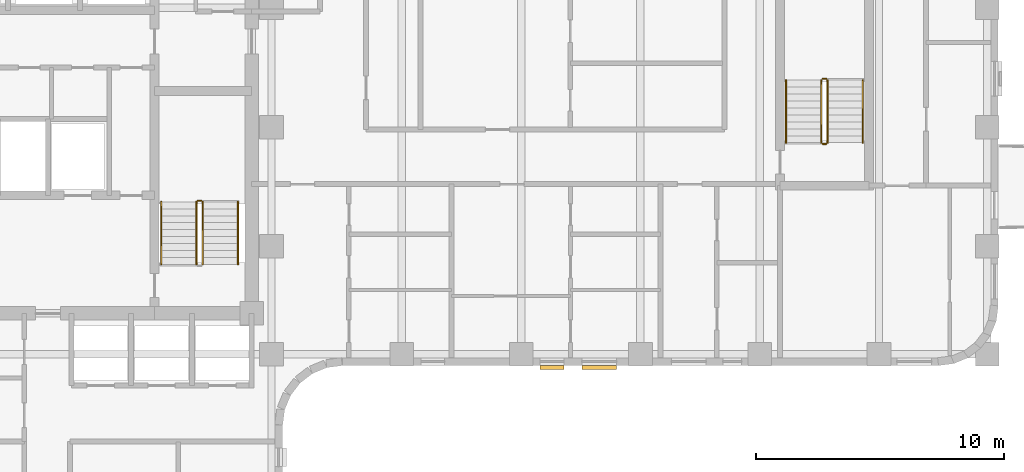
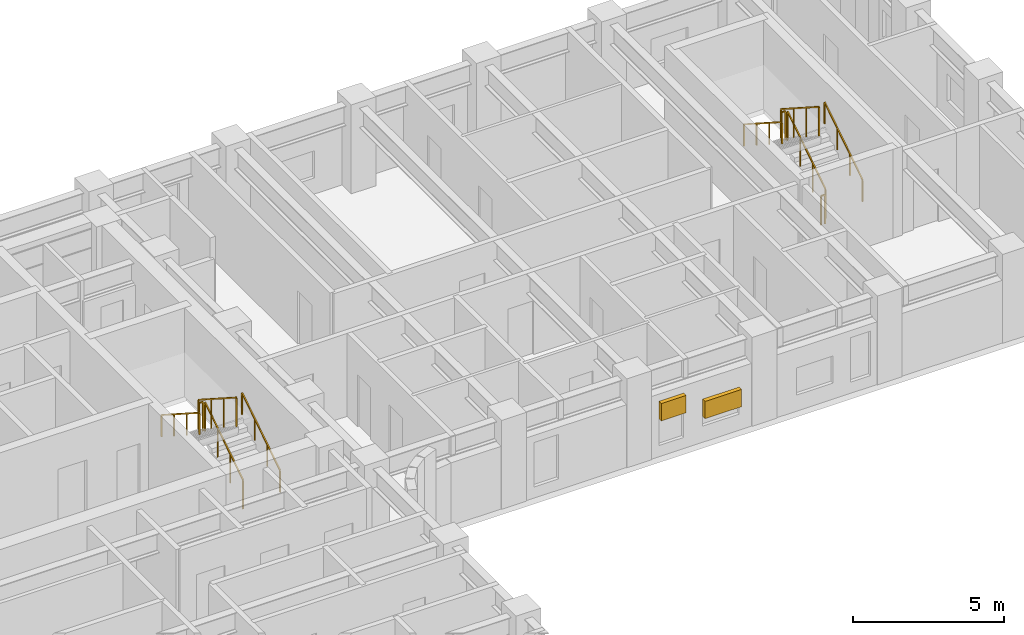
# One storey, part 9 of 10: 11 railings, 2 shading devices.
"""IFC4 building model written with IfcOpenShell, lengths in metres."""

from ifc_helpers import new_model, si_unit, direction, frame, origin, origin_2d, place, context, subcontext, project, spatial, rectangle, extrude, material, type_object, element, save


model = new_model("IFC4")

# Units and contexts
model_context = context("Model", 3, precision=1e-05, world=origin(), true_north=direction((0.0, 1.0)))
body_context = subcontext(model_context, "Body", "Model", "MODEL_VIEW")
ifc_project = project(units=[si_unit("LENGTHUNIT", "METRE"), si_unit("AREAUNIT", "SQUARE_METRE"), si_unit("VOLUMEUNIT", "CUBIC_METRE"), si_unit("PLANEANGLEUNIT", "RADIAN"), si_unit("MASSUNIT", "GRAM", prefix="KILO")], contexts=[model_context])

# Site, building, storey
site_placement = place(None, origin())
site = spatial("IfcSite", under=ifc_project, at=site_placement, CompositionType="ELEMENT")
building_placement = place(site_placement, origin())
building = spatial("IfcBuilding", under=site, at=building_placement, Name="Orvandelia Arch Residences", CompositionType="ELEMENT")
storey_placement = place(building_placement, frame((0.0, 0.0, 118.0)))
storey = spatial("IfcBuildingStorey", under=building, at=storey_placement, Name="L30", CompositionType="ELEMENT", Elevation=118.0)

# Railings
ifc_material_1 = material(Name="Brushed Stainless Steel 304", Category="steel")
railing_type_1 = type_object("IfcRailingType", Name="RL-STAIR-GD1120", PredefinedType="GUARDRAIL", material=ifc_material_1)
railing_1_placement = place(storey_placement, frame((20.780029296875, 32.8701171875, 0.179931640625)))
element("IfcRailing", 1, at=railing_1_placement, inside=storey, type_object=railing_type_1, Name="L30 ST-2 stair guard 1", PredefinedType="GUARDRAIL", context=body_context, shape_type="SweptSolid", body=[
    extrude(rectangle(XDim=0.048095703125, YDim=0.048095703125, at=origin_2d()), frame((0.0, 0.0, 1.17578125), z_axis=(0.0, 0.841138753965, 0.540819375188), x_axis=(-1.0, 0.0, 0.0)), (0.0, 0.0, 1.0), 2.99560546875),
    extrude(rectangle(XDim=0.0419921875, YDim=0.0419921875, at=origin_2d()), origin(), (0.0, 0.0, 1.0), 1.15185546875),
    extrude(rectangle(XDim=0.0419921875, YDim=0.0419921875, at=origin_2d()), frame((0.0, 0.83984375, 0.5400390625)), (0.0, 0.0, 1.0), 1.15185546875),
    extrude(rectangle(XDim=0.0419921875, YDim=0.0419921875, at=origin_2d()), frame((0.0, 1.679931640625, 1.080078125)), (0.0, 0.0, 1.0), 1.15185546875),
    extrude(rectangle(XDim=0.0419921875, YDim=0.0419921875, at=origin_2d()), frame((0.0, 2.519775390625, 1.6201171875)), (0.0, 0.0, 1.0), 1.15185546875),
])
railing_2_placement = place(storey_placement, frame((20.72998046875, 35.43994140625, 1.800048828125)))
element("IfcRailing", 2, at=railing_2_placement, inside=storey, type_object=railing_type_1, Name="L30 ST-2 stair guard 2", PredefinedType="GUARDRAIL", context=body_context, shape_type="SweptSolid", body=[
    extrude(rectangle(XDim=0.048095703125, YDim=0.048095703125, at=origin_2d()), frame((0.0, 0.0, 1.17578125), z_axis=(-1.0, 0.0, 0.0), x_axis=(0.0, -1.0, 0.0)), (0.0, 0.0, 1.0), 0.14990234375),
    extrude(rectangle(XDim=0.0419921875, YDim=0.0419921875, at=origin_2d()), origin(), (0.0, 0.0, 1.0), 1.15185546875),
    extrude(rectangle(XDim=0.0419921875, YDim=0.0419921875, at=origin_2d()), frame((-0.14990234375, 0.0, 0.0)), (0.0, 0.0, 1.0), 1.15185546875),
])
railing_3_placement = place(storey_placement, frame((20.530029296875, 35.389892578125, 1.97998046875)))
element("IfcRailing", 3, at=railing_3_placement, inside=storey, type_object=railing_type_1, Name="L30 ST-2 stair guard 3", PredefinedType="GUARDRAIL", context=body_context, shape_type="SweptSolid", body=[
    extrude(rectangle(XDim=0.048095703125, YDim=0.048095703125, at=origin_2d()), frame((0.0, 0.0, 1.17578125), z_axis=(0.0, -0.841138753965, 0.540819375188), x_axis=(1.0, 0.0, 0.0)), (0.0, 0.0, 1.0), 2.99560546875),
    extrude(rectangle(XDim=0.0419921875, YDim=0.0419921875, at=origin_2d()), origin(), (0.0, 0.0, 1.0), 1.15185546875),
    extrude(rectangle(XDim=0.0419921875, YDim=0.0419921875, at=origin_2d()), frame((0.0, -0.83984375, 0.5400390625)), (0.0, 0.0, 1.0), 1.15185546875),
    extrude(rectangle(XDim=0.0419921875, YDim=0.0419921875, at=origin_2d()), frame((0.0, -1.679931640625, 1.080078125)), (0.0, 0.0, 1.0), 1.15185546875),
    extrude(rectangle(XDim=0.0419921875, YDim=0.0419921875, at=origin_2d()), frame((0.0, -2.519775390625, 1.6201171875)), (0.0, 0.0, 1.0), 1.15185546875),
])
railing_4_placement = place(storey_placement, frame((45.929931640625, 37.77001953125, 0.179931640625)))
element("IfcRailing", 4, at=railing_4_placement, inside=storey, type_object=railing_type_1, Name="L30 ST-3 stair guard 1", PredefinedType="GUARDRAIL", context=body_context, shape_type="SweptSolid", body=[
    extrude(rectangle(XDim=0.048095703125, YDim=0.048095703125, at=origin_2d()), frame((0.0, 0.0, 1.17578125), z_axis=(0.0, 0.841162588446, 0.540782303519), x_axis=(-1.0, 0.0, 0.0)), (0.0, 0.0, 1.0), 2.995849609375),
    extrude(rectangle(XDim=0.0419921875, YDim=0.0419921875, at=origin_2d()), origin(), (0.0, 0.0, 1.0), 1.15185546875),
    extrude(rectangle(XDim=0.0419921875, YDim=0.0419921875, at=origin_2d()), frame((0.0, 0.840087890625, 0.5400390625)), (0.0, 0.0, 1.0), 1.15185546875),
    extrude(rectangle(XDim=0.0419921875, YDim=0.0419921875, at=origin_2d()), frame((0.0, 1.679931640625, 1.080078125)), (0.0, 0.0, 1.0), 1.15185546875),
    extrude(rectangle(XDim=0.0419921875, YDim=0.0419921875, at=origin_2d()), frame((0.0, 2.52001953125, 1.6201171875)), (0.0, 0.0, 1.0), 1.15185546875),
])
railing_5_placement = place(storey_placement, frame((45.8798828125, 40.340087890625, 1.800048828125)))
element("IfcRailing", 5, at=railing_5_placement, inside=storey, type_object=railing_type_1, Name="L30 ST-3 stair guard 2", PredefinedType="GUARDRAIL", context=body_context, shape_type="SweptSolid", body=[
    extrude(rectangle(XDim=0.048095703125, YDim=0.048095703125, at=origin_2d()), frame((0.0, 0.0, 1.17578125), z_axis=(-1.0, 0.0, 0.0), x_axis=(0.0, -1.0, 0.0)), (0.0, 0.0, 1.0), 0.14990234375),
    extrude(rectangle(XDim=0.0419921875, YDim=0.0419921875, at=origin_2d()), origin(), (0.0, 0.0, 1.0), 1.15185546875),
    extrude(rectangle(XDim=0.0419921875, YDim=0.0419921875, at=origin_2d()), frame((-0.14990234375, 0.0, 0.0)), (0.0, 0.0, 1.0), 1.15185546875),
])
railing_6_placement = place(storey_placement, frame((45.679931640625, 40.2900390625, 1.97998046875)))
element("IfcRailing", 6, at=railing_6_placement, inside=storey, type_object=railing_type_1, Name="L30 ST-3 stair guard 3", PredefinedType="GUARDRAIL", context=body_context, shape_type="SweptSolid", body=[
    extrude(rectangle(XDim=0.048095703125, YDim=0.048095703125, at=origin_2d()), frame((0.0, 0.0, 1.17578125), z_axis=(0.0, -0.841162588446, 0.540782303519), x_axis=(1.0, 0.0, 0.0)), (0.0, 0.0, 1.0), 2.995849609375),
    extrude(rectangle(XDim=0.0419921875, YDim=0.0419921875, at=origin_2d()), origin(), (0.0, 0.0, 1.0), 1.15185546875),
    extrude(rectangle(XDim=0.0419921875, YDim=0.0419921875, at=origin_2d()), frame((0.0, -0.840087890625, 0.5400390625)), (0.0, 0.0, 1.0), 1.15185546875),
    extrude(rectangle(XDim=0.0419921875, YDim=0.0419921875, at=origin_2d()), frame((0.0, -1.679931640625, 1.080078125)), (0.0, 0.0, 1.0), 1.15185546875),
    extrude(rectangle(XDim=0.0419921875, YDim=0.0419921875, at=origin_2d()), frame((0.0, -2.52001953125, 1.6201171875)), (0.0, 0.0, 1.0), 1.15185546875),
])
railing_7_placement = place(storey_placement, frame((45.8798828125, 37.719970703125, 0.0)))
element("IfcRailing", 7, at=railing_7_placement, inside=storey, type_object=railing_type_1, Name="L30 ST-3 stair guard 4", PredefinedType="GUARDRAIL", context=body_context, shape_type="SweptSolid", body=[
    extrude(rectangle(XDim=0.048095703125, YDim=0.048095703125, at=origin_2d()), frame((0.0, 0.0, 1.17578125), z_axis=(-1.0, 0.0, 0.0), x_axis=(0.0, -1.0, 0.0)), (0.0, 0.0, 1.0), 0.14990234375),
    extrude(rectangle(XDim=0.0419921875, YDim=0.0419921875, at=origin_2d()), origin(), (0.0, 0.0, 1.0), 1.15185546875),
    extrude(rectangle(XDim=0.0419921875, YDim=0.0419921875, at=origin_2d()), frame((-0.14990234375, 0.0, 0.0)), (0.0, 0.0, 1.0), 1.15185546875),
])
railing_type_2 = type_object("IfcRailingType", Name="RL-STAIR-HR920", PredefinedType="HANDRAIL", material=ifc_material_1)
railing_8_placement = place(storey_placement, frame((22.199951171875, 32.8701171875, 0.360107421875)))
element("IfcRailing", 8, at=railing_8_placement, inside=storey, type_object=railing_type_2, Name="L30 ST-2 stair handrail 1", PredefinedType="HANDRAIL", context=body_context, shape_type="SweptSolid", body=[
    extrude(rectangle(XDim=0.048095703125, YDim=0.048095703125, at=origin_2d()), frame((0.0, 0.0, 0.8759765625), z_axis=(0.0, 0.841175827307, 0.540761710511), x_axis=(-1.0, 0.0, 0.0)), (0.0, 0.0, 1.0), 2.99560546875),
    extrude(rectangle(XDim=0.0419921875, YDim=0.0419921875, at=origin_2d()), origin(), (0.0, 0.0, 1.0), 0.851806640625),
    extrude(rectangle(XDim=0.0419921875, YDim=0.0419921875, at=origin_2d()), frame((0.0, 0.83984375, 0.5400390625)), (0.0, 0.0, 1.0), 0.851806640625),
    extrude(rectangle(XDim=0.0419921875, YDim=0.0419921875, at=origin_2d()), frame((0.0, 1.679931640625, 1.079833984375)), (0.0, 0.0, 1.0), 0.851806640625),
    extrude(rectangle(XDim=0.0419921875, YDim=0.0419921875, at=origin_2d()), frame((0.0, 2.519775390625, 1.619873046875)), (0.0, 0.0, 1.0), 0.851806640625),
])
railing_9_placement = place(storey_placement, frame((19.110107421875, 35.389892578125, 2.159912109375)))
element("IfcRailing", 9, at=railing_9_placement, inside=storey, type_object=railing_type_2, Name="L30 ST-2 stair handrail 2", PredefinedType="HANDRAIL", context=body_context, shape_type="SweptSolid", body=[
    extrude(rectangle(XDim=0.048095703125, YDim=0.048095703125, at=origin_2d()), frame((0.0, 0.0, 0.8759765625), z_axis=(0.0, -0.841138753965, 0.540819375188), x_axis=(1.0, 0.0, 0.0)), (0.0, 0.0, 1.0), 2.99560546875),
    extrude(rectangle(XDim=0.0419921875, YDim=0.0419921875, at=origin_2d()), origin(), (0.0, 0.0, 1.0), 0.851806640625),
    extrude(rectangle(XDim=0.0419921875, YDim=0.0419921875, at=origin_2d()), frame((0.0, -0.83984375, 0.5400390625)), (0.0, 0.0, 1.0), 0.851806640625),
    extrude(rectangle(XDim=0.0419921875, YDim=0.0419921875, at=origin_2d()), frame((0.0, -1.679931640625, 1.080078125)), (0.0, 0.0, 1.0), 0.851806640625),
    extrude(rectangle(XDim=0.0419921875, YDim=0.0419921875, at=origin_2d()), frame((0.0, -2.519775390625, 1.6201171875)), (0.0, 0.0, 1.0), 0.851806640625),
])
railing_10_placement = place(storey_placement, frame((47.35009765625, 37.77001953125, 0.360107421875)))
element("IfcRailing", 10, at=railing_10_placement, inside=storey, type_object=railing_type_2, Name="L30 ST-3 stair handrail 1", PredefinedType="HANDRAIL", context=body_context, shape_type="SweptSolid", body=[
    extrude(rectangle(XDim=0.048095703125, YDim=0.048095703125, at=origin_2d()), frame((0.0, 0.0, 0.8759765625), z_axis=(0.0, 0.841199657755, 0.540724639528), x_axis=(-1.0, 0.0, 0.0)), (0.0, 0.0, 1.0), 2.995849609375),
    extrude(rectangle(XDim=0.0419921875, YDim=0.0419921875, at=origin_2d()), origin(), (0.0, 0.0, 1.0), 0.851806640625),
    extrude(rectangle(XDim=0.0419921875, YDim=0.0419921875, at=origin_2d()), frame((0.0, 0.840087890625, 0.5400390625)), (0.0, 0.0, 1.0), 0.851806640625),
    extrude(rectangle(XDim=0.0419921875, YDim=0.0419921875, at=origin_2d()), frame((0.0, 1.679931640625, 1.079833984375)), (0.0, 0.0, 1.0), 0.851806640625),
    extrude(rectangle(XDim=0.0419921875, YDim=0.0419921875, at=origin_2d()), frame((0.0, 2.52001953125, 1.619873046875)), (0.0, 0.0, 1.0), 0.851806640625),
])
railing_11_placement = place(storey_placement, frame((44.260009765625, 40.2900390625, 2.159912109375)))
element("IfcRailing", 11, at=railing_11_placement, inside=storey, type_object=railing_type_2, Name="L30 ST-3 stair handrail 2", PredefinedType="HANDRAIL", context=body_context, shape_type="SweptSolid", body=[
    extrude(rectangle(XDim=0.048095703125, YDim=0.048095703125, at=origin_2d()), frame((0.0, 0.0, 0.8759765625), z_axis=(0.0, -0.841162588446, 0.540782303519), x_axis=(1.0, 0.0, 0.0)), (0.0, 0.0, 1.0), 2.995849609375),
    extrude(rectangle(XDim=0.0419921875, YDim=0.0419921875, at=origin_2d()), origin(), (0.0, 0.0, 1.0), 0.851806640625),
    extrude(rectangle(XDim=0.0419921875, YDim=0.0419921875, at=origin_2d()), frame((0.0, -0.840087890625, 0.5400390625)), (0.0, 0.0, 1.0), 0.851806640625),
    extrude(rectangle(XDim=0.0419921875, YDim=0.0419921875, at=origin_2d()), frame((0.0, -1.679931640625, 1.080078125)), (0.0, 0.0, 1.0), 0.851806640625),
    extrude(rectangle(XDim=0.0419921875, YDim=0.0419921875, at=origin_2d()), frame((0.0, -2.52001953125, 1.6201171875)), (0.0, 0.0, 1.0), 0.851806640625),
])

# Shading devices
ifc_material_2 = material(Name="Anodised Champagne-Bronze Extruded Aluminium", Category="aluminium")
shading_device_type = type_object("IfcShadingDeviceType", Name="SHD-JALOUSIE-SCREEN", PredefinedType="JALOUSIE", material=ifc_material_2)
shading_device_1_placement = place(storey_placement, frame((36.7451171875, 28.719970703125, 1.0498046875), z_axis=(0.0, 0.0, 1.0), x_axis=(-1.0, 0.0, 0.0)))
element("IfcShadingDevice", 12, at=shading_device_1_placement, inside=storey, type_object=shading_device_type, Name="Bronze Jalousie Sun-Shade L30-004", PredefinedType="JALOUSIE", context=body_context, shape_type="SweptSolid", body=[
    extrude(rectangle(XDim=1.39990234375, YDim=0.159912109375, at=origin_2d()), origin(), (0.0, 0.0, 1.0), 0.699951171875),
])
shading_device_2_placement = place(storey_placement, frame((34.840087890625, 28.719970703125, 1.5498046875), z_axis=(0.0, 0.0, 1.0), x_axis=(-1.0, 0.0, 0.0)))
element("IfcShadingDevice", 13, at=shading_device_2_placement, inside=storey, type_object=shading_device_type, Name="Bronze Jalousie Sun-Shade L30-005", PredefinedType="JALOUSIE", context=body_context, shape_type="SweptSolid", body=[
    extrude(rectangle(XDim=0.949951171875, YDim=0.159912109375, at=origin_2d()), origin(), (0.0, 0.0, 1.0), 0.699951171875),
])

save(model, "model.ifc")
